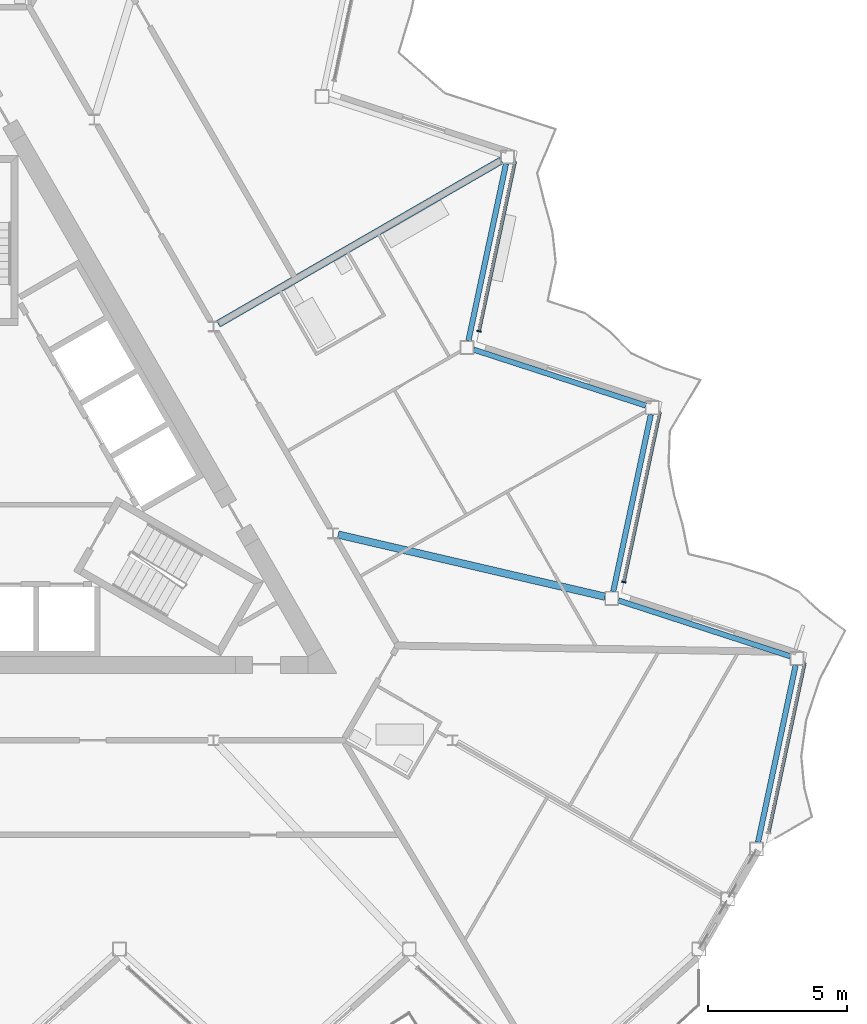
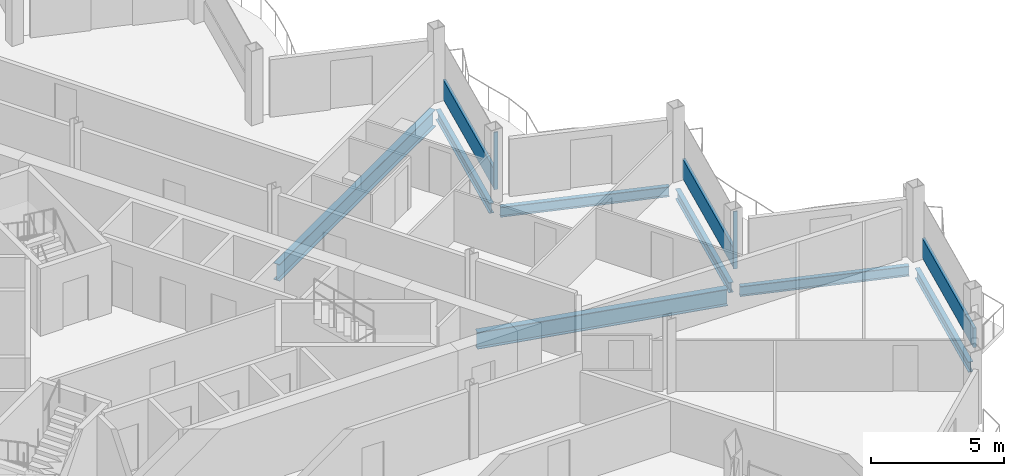
# One storey, part 8 of 26: 7 beams, 5 members, 3 elements without a shape of their own.
"""IFC4 building model written with IfcOpenShell, lengths in metres."""

from ifc_helpers import new_model, si_unit, direction, frame, origin, origin_2d, place, context, subcontext, project, spatial, rectangle, i_section, extrude, material, layer, layer_set, material_profile, profile_set, type_object, element, aggregate, save


model = new_model("IFC4")

# Units and contexts
model_context = context("Model", 3, precision=1e-05, world=origin(), true_north=direction((0.0, 1.0)))
body_context = subcontext(model_context, "Body", "Model", "MODEL_VIEW")
ifc_project = project(units=[si_unit("LENGTHUNIT", "METRE"), si_unit("AREAUNIT", "SQUARE_METRE"), si_unit("VOLUMEUNIT", "CUBIC_METRE"), si_unit("PLANEANGLEUNIT", "RADIAN"), si_unit("MASSUNIT", "GRAM", prefix="KILO")], contexts=[model_context])

# Site, building, storey
site_placement = place(None, origin())
site = spatial("IfcSite", under=ifc_project, at=site_placement, CompositionType="ELEMENT")
building_placement = place(site_placement, origin())
building = spatial("IfcBuilding", under=site, at=building_placement, Name="Cormorant Prow Tower", CompositionType="ELEMENT")
storey_placement = place(building_placement, frame((0.0, 0.0, 384.800048828125)))
storey = spatial("IfcBuildingStorey", under=building, at=storey_placement, Name="L87", CompositionType="ELEMENT", Elevation=384.800048828125)

# Beams
ifc_material_1 = material(Name="Structural steel ASTM A992 Gr 50", Category="steel")
ifc_material_profile_1 = material_profile(ifc_material_1, i_section(OverallWidth=0.267822265625, OverallDepth=0.77001953125, WebThickness=0.015625, FlangeThickness=0.025390625, at=origin_2d()), Name="W30x132")
ifc_profile_set_1 = profile_set([ifc_material_profile_1], Name="Structural steel ASTM A992 Gr 50")
beam_type_1 = type_object("IfcBeamType", Name="Radial floor beam W30x132", PredefinedType="BEAM", material=ifc_profile_set_1)
beam_1_placement = place(storey_placement, frame((13.0498046875, -2.518798828125, -0.68505859375), z_axis=(0.973926084128, -0.226865560752, 0.0), x_axis=(0.226865560752, 0.973926084128, 0.0)))
element("IfcBeam", 1, at=beam_1_placement, inside=storey, type_object=beam_type_1, Name="Radial floor beam FB3 10 L87", PredefinedType="BEAM", context=body_context, shape_type="SweptSolid", body=[
    extrude(i_section(OverallWidth=0.267822265625, OverallDepth=0.77001953125, WebThickness=0.015625, FlangeThickness=0.025390625, at=origin_2d()), origin(), (0.0, 0.0, 1.0), 9.837158203125),
])
beam_2_placement = place(storey_placement, frame((8.740478515625, 5.04638671875, -0.68505859375), z_axis=(0.866026702285, 0.499997750924, 0.0), x_axis=(-0.499997750924, 0.866026702285, 0.0)))
element("IfcBeam", 2, at=beam_2_placement, inside=storey, type_object=beam_type_1, Name="Radial floor beam FB3 11 L87", PredefinedType="BEAM", context=body_context, shape_type="SweptSolid", body=[
    extrude(i_section(OverallWidth=0.267822265625, OverallDepth=0.77001953125, WebThickness=0.015625, FlangeThickness=0.025390625, at=origin_2d()), origin(), (0.0, 0.0, 1.0), 11.7451171875),
])

# Curtain wall, member
ifc_material_2 = material(Name="Aluminium 6063-T6", Category="aluminium")
ifc_layer = layer(ifc_material_2, 0.159912109375)
ifc_layer_set = layer_set([ifc_layer], Name="Aluminium 6063-T6")
curtain_wall_type = type_object("IfcCurtainWallType", Name="Residential unitised curtain wall 160", PredefinedType="NOTDEFINED", material=ifc_layer_set)
curtain_wall_1_placement = place(storey_placement, origin())
curtain_wall_1 = element("IfcCurtainWall", 3, at=curtain_wall_1_placement, inside=storey, type_object=curtain_wall_type, Name="Residential curtain wall ENE02", PredefinedType="NOTDEFINED")
ifc_material_3 = material(Name="Aluminium 6063-T6", Category="aluminium")
ifc_material_profile_2 = material_profile(ifc_material_3, rectangle(XDim=0.159912109375, YDim=0.050048828125, at=origin_2d()), Name="Residential mullion 50x160")
ifc_profile_set_2 = profile_set([ifc_material_profile_2], Name="Aluminium 6063-T6")
member_type_1 = type_object("IfcMemberType", Name="Residential mullion 50x160", PredefinedType="MULLION", material=ifc_profile_set_2)
member_1_placement = place(storey_placement, frame((23.304931640625, -4.22265625, 0.0), z_axis=(0.0, 0.0, 1.0), x_axis=(-0.978147586701, 0.207911756835, 0.0)))
member_1 = element("IfcMember", 4, at=member_1_placement, type_object=member_type_1, Name="Residential mullion ENE02", PredefinedType="MULLION", context=body_context, shape_type="SweptSolid", body=[
    extrude(rectangle(XDim=0.159912109375, YDim=0.050048828125, at=origin_2d()), origin(), (0.0, 0.0, 1.0), 2.6337890625),
])

curtain_wall_2_placement = place(storey_placement, origin())
curtain_wall_2 = element("IfcCurtainWall", 5, at=curtain_wall_2_placement, inside=storey, type_object=curtain_wall_type, Name="Residential curtain wall ENE04", PredefinedType="NOTDEFINED")
member_2_placement = place(storey_placement, frame((18.10498046875, 4.783935546875, 0.0), z_axis=(0.0, 0.0, 1.0), x_axis=(-0.978147586701, 0.207911756835, 0.0)))
member_2 = element("IfcMember", 6, at=member_2_placement, type_object=member_type_1, Name="Residential mullion ENE04", PredefinedType="MULLION", context=body_context, shape_type="SweptSolid", body=[
    extrude(rectangle(XDim=0.159912109375, YDim=0.050048828125, at=origin_2d()), origin(), (0.0, 0.0, 1.0), 2.6337890625),
])

curtain_wall_3_placement = place(storey_placement, origin())
curtain_wall_3 = element("IfcCurtainWall", 7, at=curtain_wall_3_placement, inside=storey, type_object=curtain_wall_type, Name="Residential curtain wall ENE00", PredefinedType="NOTDEFINED")
ifc_material_4 = material(Name="Terracotta", Category="masonry")
ifc_material_profile_3 = material_profile(ifc_material_4, rectangle(XDim=0.1201171875, YDim=0.89990234375, at=origin_2d()), Name="Residential terracotta spandrel rail 120x900")
ifc_profile_set_3 = profile_set([ifc_material_profile_3], Name="Terracotta")
member_type_2 = type_object("IfcMemberType", Name="Residential terracotta spandrel rail 120x900", PredefinedType="USERDEFINED", material=ifc_profile_set_3)
member_3_placement = place(storey_placement, frame((28.510009765625, -13.204833984375, 0.449951171875), z_axis=(0.207916541247, 0.978146569731, 0.0), x_axis=(-0.978146569731, 0.207916541247, 0.0)))
member_3 = element("IfcMember", 8, at=member_3_placement, type_object=member_type_2, Name="Residential spandrel rail ENE00", ObjectType="TRANSOM", PredefinedType="USERDEFINED", context=body_context, shape_type="SweptSolid", body=[
    extrude(rectangle(XDim=0.1201171875, YDim=0.89990234375, at=origin_2d()), origin(), (0.0, 0.0, 1.0), 6.215087890625),
])
aggregate(curtain_wall_3, [member_3])

# Member
member_4_placement = place(storey_placement, frame((23.31005859375, -4.1982421875, 0.449951171875), z_axis=(0.207916541247, 0.978146569731, 0.0), x_axis=(-0.978146569731, 0.207916541247, 0.0)))
member_4 = element("IfcMember", 9, at=member_4_placement, type_object=member_type_2, Name="Residential spandrel rail ENE02", ObjectType="TRANSOM", PredefinedType="USERDEFINED", context=body_context, shape_type="SweptSolid", body=[
    extrude(rectangle(XDim=0.1201171875, YDim=0.89990234375, at=origin_2d()), origin(), (0.0, 0.0, 1.0), 6.215087890625),
])

aggregate(curtain_wall_1, [member_1, member_4])

member_5_placement = place(storey_placement, frame((18.110107421875, 4.808349609375, 0.449951171875), z_axis=(0.207908552773, 0.978148267741, 0.0), x_axis=(-0.978148267741, 0.207908552773, 0.0)))
member_5 = element("IfcMember", 10, at=member_5_placement, type_object=member_type_2, Name="Residential spandrel rail ENE04", ObjectType="TRANSOM", PredefinedType="USERDEFINED", context=body_context, shape_type="SweptSolid", body=[
    extrude(rectangle(XDim=0.1201171875, YDim=0.89990234375, at=origin_2d()), origin(), (0.0, 0.0, 1.0), 6.21533203125),
])

aggregate(curtain_wall_2, [member_2, member_5])

# Beams
ifc_material_5 = material(Name="Structural steel ASTM A992 Gr 50", Category="steel")
ifc_material_profile_4 = material_profile(ifc_material_5, i_section(OverallWidth=0.19287109375, OverallDepth=0.466064453125, WebThickness=0.011474609375, FlangeThickness=0.01904296875, at=origin_2d()), Name="W18x65")
ifc_profile_set_4 = profile_set([ifc_material_profile_4], Name="Structural steel ASTM A992 Gr 50")
beam_type_2 = type_object("IfcBeamType", Name="Spandrel beam W18x65", PredefinedType="SPANDREL", material=ifc_profile_set_4)
beam_3_placement = place(storey_placement, frame((28.125732421875, -13.5693359375, -0.533203125), z_axis=(0.207901897373, 0.978149682344, 0.0), x_axis=(-0.978149682344, 0.207901897373, 0.0)))
element("IfcBeam", 11, at=beam_3_placement, inside=storey, type_object=beam_type_2, Name="Spandrel beam SB4 ENE00-ENE01 L87", PredefinedType="SPANDREL", context=body_context, shape_type="SweptSolid", body=[
    extrude(i_section(OverallWidth=0.19287109375, OverallDepth=0.466064453125, WebThickness=0.011474609375, FlangeThickness=0.01904296875, at=origin_2d()), origin(), (0.0, 0.0, 1.0), 6.49755859375),
])
for number, where, z_axis, x_axis, name in (
    (12, (29.290771484375, -6.89208984375, -0.533203125), (-0.951053396625, 0.309026595569, 0.0), (-0.309026595569, -0.951053396625, 0.0), "Spandrel beam SB4 ENE01-ENE02 L87"),
    (13, (22.92578125, -4.5625, -0.533203125), (0.207909538847, 0.978148058147, 0.0), (-0.978148058147, 0.207909538847, 0.0), "Spandrel beam SB4 ENE02-ENE03 L87"),
    (14, (24.0908203125, 2.114501953125, -0.533203125), (-0.951053396625, 0.309026595569, 0.0), (-0.309026595569, -0.951053396625, 0.0), "Spandrel beam SB4 ENE03-ENE04 L87"),
    (15, (17.725830078125, 4.444091796875, -0.533203125), (0.207909538847, 0.978148058147, 0.0), (-0.978148058147, 0.207909538847, 0.0), "Spandrel beam SB4 ENE04-ENE05 L87"),
):
    element("IfcBeam", number, at=place(storey_placement, frame(where, z_axis=z_axis, x_axis=x_axis)), inside=storey, type_object=beam_type_2, Name=name, PredefinedType="SPANDREL", context=body_context, shape_type="SweptSolid", body=[
        extrude(i_section(OverallWidth=0.19287109375, OverallDepth=0.466064453125, WebThickness=0.011474609375, FlangeThickness=0.01904296875, at=origin_2d()), origin(), (0.0, 0.0, 1.0), 6.497314453125),
    ])

save(model, "model.ifc")
